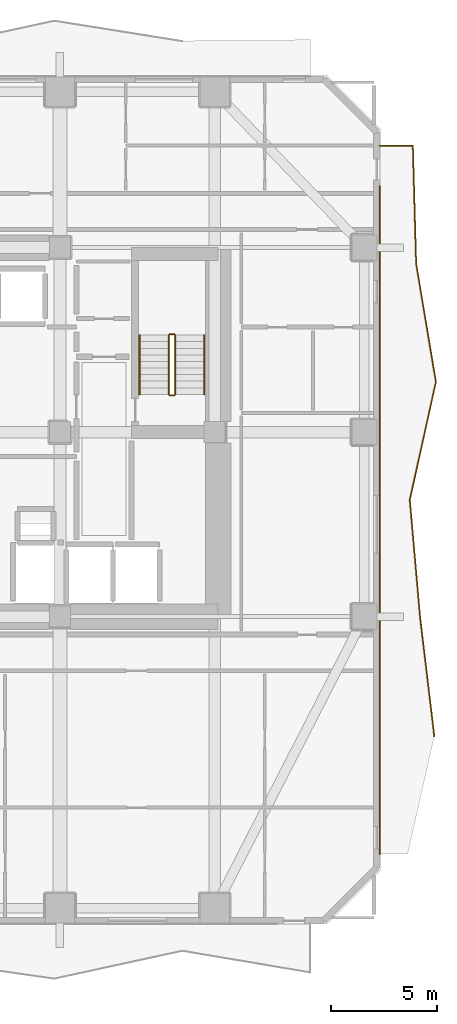
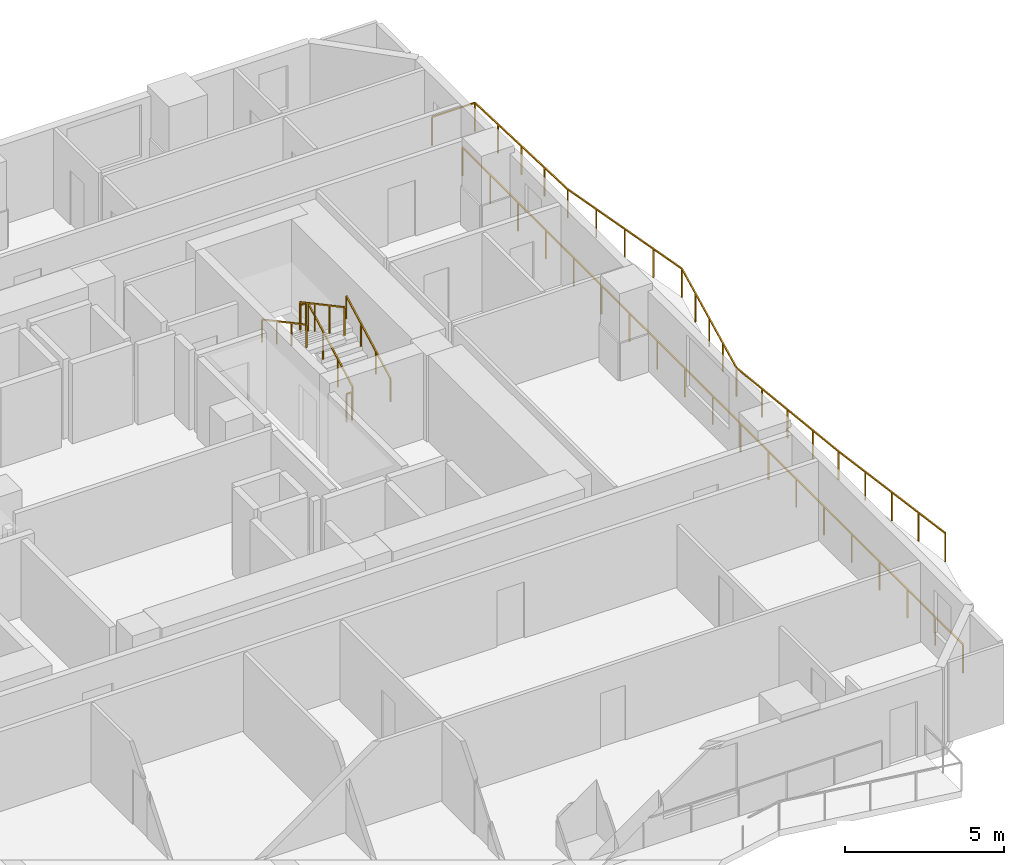
# One storey, part 10 of 11: 8 railings.
"""IFC4 building model written with IfcOpenShell, lengths in metres."""

from ifc_helpers import new_model, si_unit, direction, frame, origin, origin_2d, place, context, subcontext, project, spatial, rectangle, extrude, material, type_object, element, save


model = new_model("IFC4")

# Units and contexts
model_context = context("Model", 3, precision=1e-05, world=origin(), true_north=direction((0.0, 1.0)))
body_context = subcontext(model_context, "Body", "Model", "MODEL_VIEW")
ifc_project = project(units=[si_unit("LENGTHUNIT", "METRE"), si_unit("AREAUNIT", "SQUARE_METRE"), si_unit("VOLUMEUNIT", "CUBIC_METRE"), si_unit("PLANEANGLEUNIT", "RADIAN"), si_unit("MASSUNIT", "GRAM", prefix="KILO")], contexts=[model_context])

# Site, building, storey
site_placement = place(None, origin())
site = spatial("IfcSite", under=ifc_project, at=site_placement, CompositionType="ELEMENT")
building_placement = place(site_placement, origin())
building = spatial("IfcBuilding", under=site, at=building_placement, Name="Solanera Arch Residences", CompositionType="ELEMENT")
storey_placement = place(building_placement, frame((0.0, 0.0, 28.639892578125)))
storey = spatial("IfcBuildingStorey", under=building, at=storey_placement, Name="L07", CompositionType="ELEMENT", Elevation=28.639892578125)

# Railings
ifc_material_1 = material(Name="Steel S355 (ASTM A992 / A572 Grade 50)", Category="steel")
railing_type_1 = type_object("IfcRailingType", Name="Balustrade Railing BL-1100", PredefinedType="BALUSTRADE", material=ifc_material_1)
railing_1_placement = place(storey_placement, frame((46.85009765625, 16.366943359375, 0.0)))
element("IfcRailing", 1, at=railing_1_placement, inside=storey, type_object=railing_type_1, Name="L07 E Balcony Balustrade 1", PredefinedType="BALUSTRADE", context=body_context, shape_type="SweptSolid", body=[
    extrude(rectangle(XDim=0.048095703125, YDim=0.048095703125, at=origin_2d()), frame((0.0, 0.0, 1.09619140625), z_axis=(-0.118806904127, 0.992917377999, 0.0), x_axis=(-0.992917377999, -0.118806904127, 0.0)), (0.0, 0.0, 1.0), 5.60595703125),
    extrude(rectangle(XDim=0.048095703125, YDim=0.048095703125, at=origin_2d()), frame((-0.666015625, 5.566162109375, 1.09619140625), z_axis=(-0.087679611199, 0.996148726737, 0.0), x_axis=(-0.996148726737, -0.087679611199, 0.0)), (0.0, 0.0, 1.0), 5.58837890625),
    extrude(rectangle(XDim=0.048095703125, YDim=0.048095703125, at=origin_2d()), frame((-1.156005859375, 11.133056640625, 1.09619140625), z_axis=(0.216068938823, 0.976378109994, 0.0), x_axis=(-0.976378109994, 0.216068938823, 0.0)), (0.0, 0.0, 1.0), 5.70166015625),
    extrude(rectangle(XDim=0.048095703125, YDim=0.048095703125, at=origin_2d()), frame((0.075927734375, 16.699951171875, 1.09619140625), z_axis=(-0.165163573258, 0.986266188242, 0.0), x_axis=(-0.986266188242, -0.165163573258, 0.0)), (0.0, 0.0, 1.0), 5.6435546875),
    extrude(rectangle(XDim=0.048095703125, YDim=0.048095703125, at=origin_2d()), frame((-0.856201171875, 22.26611328125, 1.09619140625), z_axis=(-0.028012859953, 0.999607562835, 0.0), x_axis=(-0.999607562835, -0.028012859953, 0.0)), (0.0, 0.0, 1.0), 5.569091796875),
    extrude(rectangle(XDim=0.048095703125, YDim=0.048095703125, at=origin_2d()), frame((-1.01220703125, 27.8330078125, 1.09619140625), z_axis=(-1.0, 0.0, 0.0), x_axis=(0.0, -1.0, 0.0)), (0.0, 0.0, 1.0), 1.557861328125),
    extrude(rectangle(XDim=0.0419921875, YDim=0.0419921875, at=origin_2d()), origin(), (0.0, 0.0, 1.0), 1.072021484375),
    extrude(rectangle(XDim=0.0419921875, YDim=0.0419921875, at=origin_2d()), frame((-0.16650390625, 1.3916015625, 0.0)), (0.0, 0.0, 1.0), 1.072021484375),
    extrude(rectangle(XDim=0.0419921875, YDim=0.0419921875, at=origin_2d()), frame((-0.3330078125, 2.783203125, 0.0)), (0.0, 0.0, 1.0), 1.072021484375),
    extrude(rectangle(XDim=0.0419921875, YDim=0.0419921875, at=origin_2d()), frame((-0.49951171875, 4.174560546875, 0.0)), (0.0, 0.0, 1.0), 1.072021484375),
    extrude(rectangle(XDim=0.0419921875, YDim=0.0419921875, at=origin_2d()), frame((-0.666015625, 5.566162109375, 0.0)), (0.0, 0.0, 1.0), 1.072021484375),
    extrude(rectangle(XDim=0.0419921875, YDim=0.0419921875, at=origin_2d()), frame((-0.78857421875, 6.9580078125, 0.0)), (0.0, 0.0, 1.0), 1.072021484375),
    extrude(rectangle(XDim=0.0419921875, YDim=0.0419921875, at=origin_2d()), frame((-0.9111328125, 8.349609375, 0.0)), (0.0, 0.0, 1.0), 1.072021484375),
    extrude(rectangle(XDim=0.0419921875, YDim=0.0419921875, at=origin_2d()), frame((-1.033447265625, 9.7412109375, 0.0)), (0.0, 0.0, 1.0), 1.072021484375),
    extrude(rectangle(XDim=0.0419921875, YDim=0.0419921875, at=origin_2d()), frame((-1.156005859375, 11.133056640625, 0.0)), (0.0, 0.0, 1.0), 1.072021484375),
    extrude(rectangle(XDim=0.0419921875, YDim=0.0419921875, at=origin_2d()), frame((-0.84814453125, 12.52490234375, 0.0)), (0.0, 0.0, 1.0), 1.072021484375),
    extrude(rectangle(XDim=0.0419921875, YDim=0.0419921875, at=origin_2d()), frame((-0.5400390625, 13.91650390625, 0.0)), (0.0, 0.0, 1.0), 1.072021484375),
    extrude(rectangle(XDim=0.0419921875, YDim=0.0419921875, at=origin_2d()), frame((-0.23193359375, 15.30810546875, 0.0)), (0.0, 0.0, 1.0), 1.072021484375),
    extrude(rectangle(XDim=0.0419921875, YDim=0.0419921875, at=origin_2d()), frame((0.075927734375, 16.699951171875, 0.0)), (0.0, 0.0, 1.0), 1.072021484375),
    extrude(rectangle(XDim=0.0419921875, YDim=0.0419921875, at=origin_2d()), frame((-0.1572265625, 18.091552734375, 0.0)), (0.0, 0.0, 1.0), 1.072021484375),
    extrude(rectangle(XDim=0.0419921875, YDim=0.0419921875, at=origin_2d()), frame((-0.39013671875, 19.48291015625, 0.0)), (0.0, 0.0, 1.0), 1.072021484375),
    extrude(rectangle(XDim=0.0419921875, YDim=0.0419921875, at=origin_2d()), frame((-0.623046875, 20.87451171875, 0.0)), (0.0, 0.0, 1.0), 1.072021484375),
    extrude(rectangle(XDim=0.0419921875, YDim=0.0419921875, at=origin_2d()), frame((-0.856201171875, 22.26611328125, 0.0)), (0.0, 0.0, 1.0), 1.072021484375),
    extrude(rectangle(XDim=0.0419921875, YDim=0.0419921875, at=origin_2d()), frame((-0.895263671875, 23.65771484375, 0.0)), (0.0, 0.0, 1.0), 1.072021484375),
    extrude(rectangle(XDim=0.0419921875, YDim=0.0419921875, at=origin_2d()), frame((-0.93408203125, 25.049560546875, 0.0)), (0.0, 0.0, 1.0), 1.072021484375),
    extrude(rectangle(XDim=0.0419921875, YDim=0.0419921875, at=origin_2d()), frame((-0.97314453125, 26.44140625, 0.0)), (0.0, 0.0, 1.0), 1.072021484375),
    extrude(rectangle(XDim=0.0419921875, YDim=0.0419921875, at=origin_2d()), frame((-1.01220703125, 27.8330078125, 0.0)), (0.0, 0.0, 1.0), 1.072021484375),
    extrude(rectangle(XDim=0.0419921875, YDim=0.0419921875, at=origin_2d()), frame((-2.570068359375, 27.8330078125, 0.0)), (0.0, 0.0, 1.0), 1.072021484375),
])
railing_2_placement = place(storey_placement, frame((44.280029296875, 42.283935546875, 0.0)))
element("IfcRailing", 2, at=railing_2_placement, inside=storey, type_object=railing_type_1, Name="L07 E Balcony Balustrade 2", PredefinedType="BALUSTRADE", context=body_context, shape_type="SweptSolid", body=[
    extrude(rectangle(XDim=0.048095703125, YDim=0.048095703125, at=origin_2d()), frame((0.0, 0.0, 1.09619140625), z_axis=(0.0, -1.0, 0.0), x_axis=(1.0, 0.0, 0.0)), (0.0, 0.0, 1.0), 31.48388671875),
    extrude(rectangle(XDim=0.0419921875, YDim=0.0419921875, at=origin_2d()), origin(), (0.0, 0.0, 1.0), 1.072021484375),
    extrude(rectangle(XDim=0.0419921875, YDim=0.0419921875, at=origin_2d()), frame((0.0, -1.7490234375, 0.0)), (0.0, 0.0, 1.0), 1.072021484375),
    extrude(rectangle(XDim=0.0419921875, YDim=0.0419921875, at=origin_2d()), frame((0.0, -3.498291015625, 0.0)), (0.0, 0.0, 1.0), 1.072021484375),
    extrude(rectangle(XDim=0.0419921875, YDim=0.0419921875, at=origin_2d()), frame((0.0, -5.247314453125, 0.0)), (0.0, 0.0, 1.0), 1.072021484375),
    extrude(rectangle(XDim=0.0419921875, YDim=0.0419921875, at=origin_2d()), frame((0.0, -6.996337890625, 0.0)), (0.0, 0.0, 1.0), 1.072021484375),
    extrude(rectangle(XDim=0.0419921875, YDim=0.0419921875, at=origin_2d()), frame((0.0, -8.74560546875, 0.0)), (0.0, 0.0, 1.0), 1.072021484375),
    extrude(rectangle(XDim=0.0419921875, YDim=0.0419921875, at=origin_2d()), frame((0.0, -10.49462890625, 0.0)), (0.0, 0.0, 1.0), 1.072021484375),
    extrude(rectangle(XDim=0.0419921875, YDim=0.0419921875, at=origin_2d()), frame((0.0, -12.24365234375, 0.0)), (0.0, 0.0, 1.0), 1.072021484375),
    extrude(rectangle(XDim=0.0419921875, YDim=0.0419921875, at=origin_2d()), frame((0.0, -13.992919921875, 0.0)), (0.0, 0.0, 1.0), 1.072021484375),
    extrude(rectangle(XDim=0.0419921875, YDim=0.0419921875, at=origin_2d()), frame((0.0, -15.741943359375, 0.0)), (0.0, 0.0, 1.0), 1.072021484375),
    extrude(rectangle(XDim=0.0419921875, YDim=0.0419921875, at=origin_2d()), frame((0.0, -17.490966796875, 0.0)), (0.0, 0.0, 1.0), 1.072021484375),
    extrude(rectangle(XDim=0.0419921875, YDim=0.0419921875, at=origin_2d()), frame((0.0, -19.240234375, 0.0)), (0.0, 0.0, 1.0), 1.072021484375),
    extrude(rectangle(XDim=0.0419921875, YDim=0.0419921875, at=origin_2d()), frame((0.0, -20.9892578125, 0.0)), (0.0, 0.0, 1.0), 1.072021484375),
    extrude(rectangle(XDim=0.0419921875, YDim=0.0419921875, at=origin_2d()), frame((0.0, -22.73828125, 0.0)), (0.0, 0.0, 1.0), 1.072021484375),
    extrude(rectangle(XDim=0.0419921875, YDim=0.0419921875, at=origin_2d()), frame((0.0, -24.487548828125, 0.0)), (0.0, 0.0, 1.0), 1.072021484375),
    extrude(rectangle(XDim=0.0419921875, YDim=0.0419921875, at=origin_2d()), frame((0.0, -26.236572265625, 0.0)), (0.0, 0.0, 1.0), 1.072021484375),
    extrude(rectangle(XDim=0.0419921875, YDim=0.0419921875, at=origin_2d()), frame((0.0, -27.985595703125, 0.0)), (0.0, 0.0, 1.0), 1.072021484375),
    extrude(rectangle(XDim=0.0419921875, YDim=0.0419921875, at=origin_2d()), frame((0.0, -29.73486328125, 0.0)), (0.0, 0.0, 1.0), 1.072021484375),
    extrude(rectangle(XDim=0.0419921875, YDim=0.0419921875, at=origin_2d()), frame((0.0, -31.48388671875, 0.0)), (0.0, 0.0, 1.0), 1.072021484375),
])
ifc_material_2 = material(Name="Steel S355 (ASTM A992 / A572 Grade 50)", Category="steel")
railing_type_2 = type_object("IfcRailingType", Name="Stair Guardrail GR-1100", PredefinedType="GUARDRAIL", material=ifc_material_2)
railing_3_placement = place(storey_placement, frame((34.6298828125, 32.47998046875, 0.151123046875)))
element("IfcRailing", 3, at=railing_3_placement, inside=storey, type_object=railing_type_2, Name="L07 ST-T2 stair guard 1", PredefinedType="GUARDRAIL", context=body_context, shape_type="SweptSolid", body=[
    extrude(rectangle(XDim=0.048095703125, YDim=0.048095703125, at=origin_2d()), frame((0.0, 0.0, 1.076171875), z_axis=(0.0, 0.881580869306, 0.472033018838), x_axis=(-1.0, 0.0, 0.0)), (0.0, 0.0, 1.0), 3.164794921875),
    extrude(rectangle(XDim=0.0419921875, YDim=0.0419921875, at=origin_2d()), origin(), (0.0, 0.0, 1.0), 1.052001953125),
    extrude(rectangle(XDim=0.0419921875, YDim=0.0419921875, at=origin_2d()), frame((0.0, 0.929931640625, 0.498046875)), (0.0, 0.0, 1.0), 1.052001953125),
    extrude(rectangle(XDim=0.0419921875, YDim=0.0419921875, at=origin_2d()), frame((0.0, 1.860107421875, 0.995849609375)), (0.0, 0.0, 1.0), 1.052001953125),
    extrude(rectangle(XDim=0.0419921875, YDim=0.0419921875, at=origin_2d()), frame((0.0, 2.7900390625, 1.493896484375)), (0.0, 0.0, 1.0), 1.052001953125),
])
railing_4_placement = place(storey_placement, frame((34.580078125, 35.320068359375, 1.64501953125)))
element("IfcRailing", 4, at=railing_4_placement, inside=storey, type_object=railing_type_2, Name="L07 ST-T2 stair guard 2", PredefinedType="GUARDRAIL", context=body_context, shape_type="SweptSolid", body=[
    extrude(rectangle(XDim=0.048095703125, YDim=0.048095703125, at=origin_2d()), frame((0.0, 0.0, 1.076171875), z_axis=(-1.0, 0.0, 0.0), x_axis=(0.0, -1.0, 0.0)), (0.0, 0.0, 1.0), 0.2001953125),
    extrude(rectangle(XDim=0.0419921875, YDim=0.0419921875, at=origin_2d()), origin(), (0.0, 0.0, 1.0), 1.052001953125),
    extrude(rectangle(XDim=0.0419921875, YDim=0.0419921875, at=origin_2d()), frame((-0.2001953125, 0.0, 0.0)), (0.0, 0.0, 1.0), 1.052001953125),
])
railing_5_placement = place(storey_placement, frame((34.330078125, 35.27001953125, 1.81103515625)))
element("IfcRailing", 5, at=railing_5_placement, inside=storey, type_object=railing_type_2, Name="L07 ST-T2 stair guard 3", PredefinedType="GUARDRAIL", context=body_context, shape_type="SweptSolid", body=[
    extrude(rectangle(XDim=0.048095703125, YDim=0.048095703125, at=origin_2d()), frame((0.0, 0.0, 1.076171875), z_axis=(0.0, -0.881548766853, 0.472092969298), x_axis=(1.0, 0.0, 0.0)), (0.0, 0.0, 1.0), 3.1650390625),
    extrude(rectangle(XDim=0.0419921875, YDim=0.0419921875, at=origin_2d()), origin(), (0.0, 0.0, 1.0), 1.052001953125),
    extrude(rectangle(XDim=0.0419921875, YDim=0.0419921875, at=origin_2d()), frame((0.0, -0.929931640625, 0.498046875)), (0.0, 0.0, 1.0), 1.052001953125),
    extrude(rectangle(XDim=0.0419921875, YDim=0.0419921875, at=origin_2d()), frame((0.0, -1.860107421875, 0.99609375)), (0.0, 0.0, 1.0), 1.052001953125),
    extrude(rectangle(XDim=0.0419921875, YDim=0.0419921875, at=origin_2d()), frame((0.0, -2.7900390625, 1.494140625)), (0.0, 0.0, 1.0), 1.052001953125),
])
railing_6_placement = place(storey_placement, frame((34.580078125, 32.429931640625, -0.014892578125)))
element("IfcRailing", 6, at=railing_6_placement, inside=storey, type_object=railing_type_2, Name="L07 ST-T2 stair guard 4", PredefinedType="GUARDRAIL", context=body_context, shape_type="SweptSolid", body=[
    extrude(rectangle(XDim=0.048095703125, YDim=0.048095703125, at=origin_2d()), frame((0.0, 0.0, 1.076171875), z_axis=(-1.0, 0.0, 0.0), x_axis=(0.0, -1.0, 0.0)), (0.0, 0.0, 1.0), 0.2001953125),
    extrude(rectangle(XDim=0.0419921875, YDim=0.0419921875, at=origin_2d()), origin(), (0.0, 0.0, 1.0), 1.052001953125),
    extrude(rectangle(XDim=0.0419921875, YDim=0.0419921875, at=origin_2d()), frame((-0.2001953125, 0.0, 0.0)), (0.0, 0.0, 1.0), 1.052001953125),
])
ifc_material_3 = material(Name="Steel S355 (ASTM A992 / A572 Grade 50)", Category="steel")
railing_type_3 = type_object("IfcRailingType", Name="Stair Wall Handrail HR-920", PredefinedType="HANDRAIL", material=ifc_material_3)
railing_7_placement = place(storey_placement, frame((36.010009765625, 32.47998046875, 0.166015625)))
element("IfcRailing", 7, at=railing_7_placement, inside=storey, type_object=railing_type_3, Name="L07 ST-T2 stair handrail 1", PredefinedType="HANDRAIL", context=body_context, shape_type="SweptSolid", body=[
    extrude(rectangle(XDim=0.048095703125, YDim=0.048095703125, at=origin_2d()), frame((0.0, 0.0, 0.8759765625), z_axis=(0.0, 0.881548766853, 0.472092969298), x_axis=(-1.0, 0.0, 0.0)), (0.0, 0.0, 1.0), 3.1650390625),
    extrude(rectangle(XDim=0.0419921875, YDim=0.0419921875, at=origin_2d()), origin(), (0.0, 0.0, 1.0), 0.851806640625),
    extrude(rectangle(XDim=0.0419921875, YDim=0.0419921875, at=origin_2d()), frame((0.0, 0.929931640625, 0.498046875)), (0.0, 0.0, 1.0), 0.851806640625),
    extrude(rectangle(XDim=0.0419921875, YDim=0.0419921875, at=origin_2d()), frame((0.0, 1.860107421875, 0.99609375)), (0.0, 0.0, 1.0), 0.851806640625),
    extrude(rectangle(XDim=0.0419921875, YDim=0.0419921875, at=origin_2d()), frame((0.0, 2.7900390625, 1.494140625)), (0.0, 0.0, 1.0), 0.851806640625),
])
railing_8_placement = place(storey_placement, frame((32.949951171875, 35.27001953125, 1.826171875)))
element("IfcRailing", 8, at=railing_8_placement, inside=storey, type_object=railing_type_3, Name="L07 ST-T2 stair handrail 2", PredefinedType="HANDRAIL", context=body_context, shape_type="SweptSolid", body=[
    extrude(rectangle(XDim=0.048095703125, YDim=0.048095703125, at=origin_2d()), frame((0.0, 0.0, 0.8759765625), z_axis=(0.0, -0.881580869306, 0.472033018838), x_axis=(1.0, 0.0, 0.0)), (0.0, 0.0, 1.0), 3.164794921875),
    extrude(rectangle(XDim=0.0419921875, YDim=0.0419921875, at=origin_2d()), origin(), (0.0, 0.0, 1.0), 0.851806640625),
    extrude(rectangle(XDim=0.0419921875, YDim=0.0419921875, at=origin_2d()), frame((0.0, -0.929931640625, 0.498046875)), (0.0, 0.0, 1.0), 0.851806640625),
    extrude(rectangle(XDim=0.0419921875, YDim=0.0419921875, at=origin_2d()), frame((0.0, -1.860107421875, 0.995849609375)), (0.0, 0.0, 1.0), 0.851806640625),
    extrude(rectangle(XDim=0.0419921875, YDim=0.0419921875, at=origin_2d()), frame((0.0, -2.7900390625, 1.493896484375)), (0.0, 0.0, 1.0), 0.851806640625),
])

save(model, "model.ifc")
